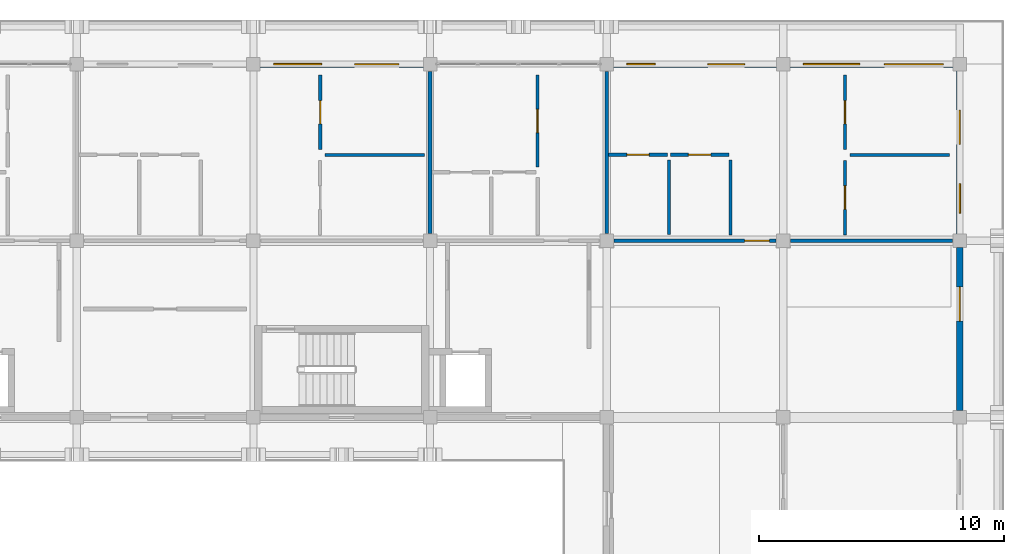
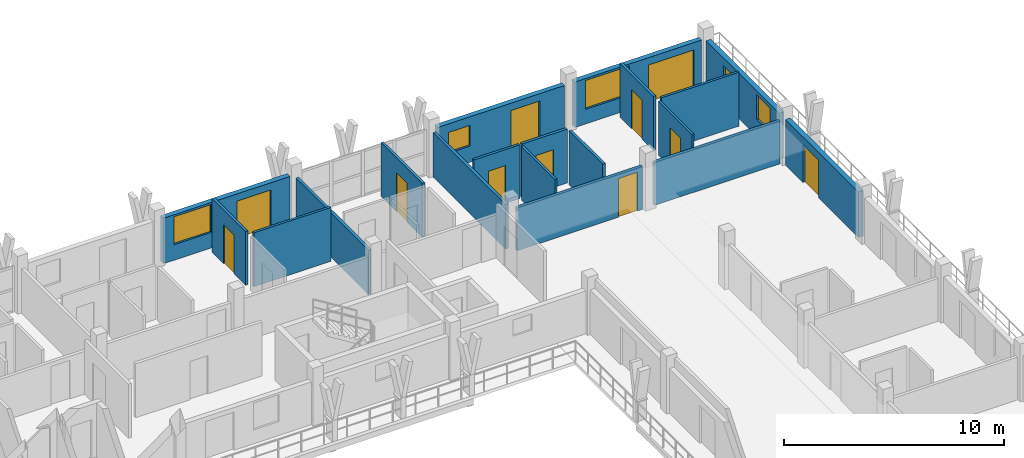
# One storey, part 52 of 67: 19 walls, 12 doors, 4 windows, 16 openings.
"""IFC4 building model written with IfcOpenShell, lengths in metres."""

import ifcopenshell
import ifcopenshell.guid

model = None  # the IFC model being written
_history = None  # IfcOwnerHistory: only IFC2X3 demands one
_inside = {}  # id of a spatial element -> (the spatial element, [elements in it])
_under = {}  # id of a project, library or spatial element -> (it, [spatial elements below it])
_declared = {}  # id of a project -> (the project, [libraries it declares])
_typed = {}  # id of a type object -> (the type object, [elements of that type])
_made_of = {}  # id of a material, layer set ... -> (it, [elements and type objects made of it])


def new_model(schema):
    """Start an empty IFC model of exactly this schema.

    Asked for "IFC4X3", IfcOpenShell would pick the latest addendum, in which some entities
    have other attributes; the version numbers below select the first issue.
    IFC2X3 requires an IfcOwnerHistory on every rooted entity: one is made here for all.
    """
    global model, _history
    if schema == "IFC4X3":
        model = ifcopenshell.file(schema_version=(4, 3, 0, 0))
    else:
        model = ifcopenshell.file(schema=schema)
    _inside.clear()
    _under.clear()
    _declared.clear()
    _typed.clear()
    _made_of.clear()
    _history = None
    if model.schema == "IFC2X3":
        org = make("IfcOrganization", Name="unknown")
        user = make(
            "IfcPersonAndOrganization",
            ThePerson=make("IfcPerson", FamilyName="unknown"),
            TheOrganization=org,
        )
        app = make(
            "IfcApplication",
            ApplicationDeveloper=org,
            Version="unknown",
            ApplicationFullName="unknown",
            ApplicationIdentifier="unknown",
        )
        _history = make(
            "IfcOwnerHistory",
            OwningUser=user,
            OwningApplication=app,
            ChangeAction="ADDED",
            CreationDate=0,
        )
    return model


def make(cls, **values):
    """One entity of the class cls with the attributes given. An attribute that is None is left unset."""
    return model.create_entity(
        cls, **{name: value for name, value in values.items() if value is not None}
    )


def rooted(cls, **values):
    """An entity with a GlobalId (a new one), such as an element, a storey or a relation."""
    return make(cls, GlobalId=ifcopenshell.guid.new(), OwnerHistory=_history, **values)


def si_unit(unit_type, name, prefix=None):
    """IfcSIUnit, for example si_unit("LENGTHUNIT", "METRE", prefix="MILLI")."""
    return make("IfcSIUnit", UnitType=unit_type, Prefix=prefix, Name=name)


def assignment(units):
    """IfcUnitAssignment: the units of a project."""
    return None if units is None else make("IfcUnitAssignment", Units=units)


def point(xyz):
    """IfcCartesianPoint."""
    return None if xyz is None else make("IfcCartesianPoint", Coordinates=xyz)


def direction(xyz):
    """IfcDirection."""
    return None if xyz is None else make("IfcDirection", DirectionRatios=xyz)


def frame(location, z_axis=None, x_axis=None):
    """IfcAxis2Placement3D, a coordinate frame: its origin and axes. An axis left out is left unset."""
    return make(
        "IfcAxis2Placement3D",
        Location=point(location),
        Axis=direction(z_axis),
        RefDirection=direction(x_axis),
    )


def frame_2d(location, x_axis=None):
    """IfcAxis2Placement2D, a coordinate frame in the plane: its origin and x axis."""
    return make(
        "IfcAxis2Placement2D", Location=point(location), RefDirection=direction(x_axis)
    )


def origin():
    """The frame at (0, 0, 0) with its axes left unset."""
    return frame((0.0, 0.0, 0.0))


def place(relative_to, where):
    """IfcLocalPlacement: puts the frame where relative to a parent placement (None: the world)."""
    return make(
        "IfcLocalPlacement", PlacementRelTo=relative_to, RelativePlacement=where
    )


def context(
    kind, dimensions, precision=None, world=None, true_north=None, identifier=None
):
    """IfcGeometricRepresentationContext, for example the 3D "Model" context."""
    return make(
        "IfcGeometricRepresentationContext",
        ContextIdentifier=identifier,
        ContextType=kind,
        CoordinateSpaceDimension=dimensions,
        Precision=precision,
        WorldCoordinateSystem=world,
        TrueNorth=true_north,
    )


def subcontext(parent, identifier, kind, view, scale=None):
    """IfcGeometricRepresentationSubContext, for example "Body" below "Model"."""
    return make(
        "IfcGeometricRepresentationSubContext",
        ContextIdentifier=identifier,
        ContextType=kind,
        ParentContext=parent,
        TargetScale=scale,
        TargetView=view,
    )


def project(units=None, contexts=None):
    """IfcProject with its units and contexts."""
    return rooted(
        "IfcProject",
        Name="project",
        RepresentationContexts=contexts,
        UnitsInContext=assignment(units),
    )


def spatial(cls, under=None, at=None, **own):
    """A site, building, storey or space (cls), placed at a placement, below another one or the project."""
    s = rooted(cls, ObjectPlacement=at, **own)
    if under is not None:
        _under.setdefault(under.id(), (under, []))[1].append(s)
    return s


def profile(cls, at=None, kind="AREA", **sizes):
    """A parametric profile (cls). Its sizes go by their IFC names, for example OverallWidth=200.0."""
    return make(cls, ProfileType=kind, Position=at, **sizes)


def rectangle(**sizes):
    """IfcRectangleProfileDef."""
    return profile("IfcRectangleProfileDef", **sizes)


def extrude(swept, where, along, depth):
    """IfcExtrudedAreaSolid: the profile swept, set in the frame where, extruded along a direction by depth."""
    return make(
        "IfcExtrudedAreaSolid",
        SweptArea=swept,
        Position=where,
        ExtrudedDirection=direction(along),
        Depth=depth,
    )


def shape(context_of_items, identifier, shape_type, items):
    """IfcShapeRepresentation: the items that make up one representation, for example the "Body"."""
    return make(
        "IfcShapeRepresentation",
        ContextOfItems=context_of_items,
        RepresentationIdentifier=identifier,
        RepresentationType=shape_type,
        Items=items,
    )


def material(Name=None, Category=None):
    """IfcMaterial."""
    return make("IfcMaterial", Name=Name, Category=Category)


def layer(
    of_material, thickness, ventilated=None, Name=None, Category=None, Priority=None
):
    """IfcMaterialLayer: one layer of a wall or slab, of a material (None: an air gap)."""
    return make(
        "IfcMaterialLayer",
        Material=of_material,
        LayerThickness=thickness,
        IsVentilated=ventilated,
        Name=Name,
        Category=Category,
        Priority=Priority,
    )


def layer_set(layers, Name=None):
    """IfcMaterialLayerSet."""
    return make("IfcMaterialLayerSet", MaterialLayers=layers, LayerSetName=Name)


def made_of(thing, what):
    """Note that an element or type object is made of a material, layer set ...; save() writes the relation."""
    if what is not None:
        _made_of.setdefault(what.id(), (what, []))[1].append(thing)
    return thing


def type_object(cls, material=None, **own):
    """A type object (cls), such as IfcWallType, which elements share."""
    return made_of(rooted(cls, **own), material)


def element(
    cls,
    number,
    at=None,
    inside=None,
    cuts=None,
    type_object=None,
    material=None,
    context=None,
    identifier="Body",
    shape_type=None,
    held_by="IfcProductDefinitionShape",
    body=None,
    shapes=None,
    **own,
):
    """One element of the class cls, such as IfcWall. Its Tag is "e" and its number.

    at: its placement. inside: the storey or other place that contains it. cuts: it is an
    opening in that element (IfcRelVoidsElement). A single representation is given by context,
    identifier, shape_type and body (its items); several are given by shapes. held_by: the class
    of the entity that holds the representations. save() writes the other relations.
    """
    e = rooted(cls, Tag="e%d" % number, ObjectPlacement=at, **own)
    if body is not None:
        shapes = [shape(context, identifier, shape_type, body)]
    if shapes is not None:
        e.Representation = make(held_by, Representations=shapes)
    if inside is not None:
        _inside.setdefault(inside.id(), (inside, []))[1].append(e)
    if cuts is not None:
        rooted(
            "IfcRelVoidsElement", RelatingBuildingElement=cuts, RelatedOpeningElement=e
        )
    if type_object is not None:
        _typed.setdefault(type_object.id(), (type_object, []))[1].append(e)
    return made_of(e, material)


def fill(opening, filler):
    """IfcRelFillsElement: the door or window that sits in an opening."""
    return rooted(
        "IfcRelFillsElement",
        RelatingOpeningElement=opening,
        RelatedBuildingElement=filler,
    )


def aggregate(whole, parts):
    """IfcRelAggregates: a whole, such as a stair, and the parts it consists of."""
    return rooted("IfcRelAggregates", RelatingObject=whole, RelatedObjects=parts)


def save(model, path):
    """Write the relations noted so far, then the file.

    IfcRelAggregates (storeys below a building ...), IfcRelContainedInSpatialStructure (elements
    in a storey), IfcRelDefinesByType, IfcRelAssociatesMaterial and IfcRelDeclares: one each for
    every whole, place, type object, material and project.
    """
    for whole, parts in _under.values():
        aggregate(whole, parts)
    for where, things in _inside.values():
        rooted(
            "IfcRelContainedInSpatialStructure",
            RelatedElements=things,
            RelatingStructure=where,
        )
    for kind, things in _typed.values():
        rooted("IfcRelDefinesByType", RelatedObjects=things, RelatingType=kind)
    for what, things in _made_of.values():
        rooted("IfcRelAssociatesMaterial", RelatedObjects=things, RelatingMaterial=what)
    for by, libraries in _declared.values():
        rooted("IfcRelDeclares", RelatingContext=by, RelatedDefinitions=libraries)
    model.write(path)


model = new_model("IFC4")

# Units and contexts
model_context = context("Model", 3, precision=1e-05, world=origin(), true_north=direction((0.0, 1.0)))
body_context = subcontext(model_context, "Body", "Model", "MODEL_VIEW")
ifc_project = project(units=[si_unit("LENGTHUNIT", "METRE"), si_unit("AREAUNIT", "SQUARE_METRE"), si_unit("VOLUMEUNIT", "CUBIC_METRE"), si_unit("PLANEANGLEUNIT", "RADIAN"), si_unit("MASSUNIT", "GRAM", prefix="KILO")], contexts=[model_context])

# Site, building, storey
site_placement = place(None, origin())
site = spatial("IfcSite", under=ifc_project, at=site_placement, CompositionType="ELEMENT")
building_placement = place(site_placement, origin())
building = spatial("IfcBuilding", under=site, at=building_placement, Name="Suanplinth Sawtooth Commons", CompositionType="ELEMENT")
storey_placement = place(building_placement, frame((0.0, 0.0, 25.10009765625)))
storey = spatial("IfcBuildingStorey", under=building, at=storey_placement, Name="L07", CompositionType="ELEMENT", Elevation=25.10009765625)

# Wall, openings, door, window
ifc_material_1 = material(Name="Precast concrete C40/50", Category="concrete")
ifc_layer_1 = layer(ifc_material_1, 0.260009765625, Name="Insulated precast courtyard facade wall 260mm")
ifc_layer_set_1 = layer_set([ifc_layer_1], Name="Precast concrete C40/50")
wall_type_1 = type_object("IfcWallType", Name="W-EX02", PredefinedType="ELEMENTEDWALL", material=ifc_layer_set_1)
wall_1_placement = place(storey_placement, frame((158.675048828125, 122.39990234375, 0.0), z_axis=(0.0, 0.0, 1.0), x_axis=(1.0, 0.0, 0.0)))
wall_1 = element("IfcWall", 1, at=wall_1_placement, inside=storey, type_object=wall_type_1, Name="Facade Wall W-L07-B-N-22-16", PredefinedType="ELEMENTEDWALL", context=body_context, shape_type="SweptSolid", body=[
    extrude(rectangle(XDim=6.64990234375, YDim=0.260009765625, at=frame_2d((3.324951171875, 0.0))), origin(), (0.0, 0.0, 1.0), 2.52490234375),
])
opening_1_placement = place(wall_1_placement, frame((3.85009765625, 0.0, 0.0)))
opening_1 = element("IfcOpeningElement", 2, at=opening_1_placement, cuts=wall_1, Name="Opening ED0579", PredefinedType="OPENING", context=body_context, shape_type="SweptSolid", body=[
    extrude(rectangle(XDim=1.800048828125, YDim=2.1201171875, at=frame_2d((0.89990234375, 1.06005859375))), frame((0.0, 0.14501953125, 0.0), z_axis=(0.0, -1.0, 0.0), x_axis=(1.0, 0.0, 0.0)), (0.0, 0.0, 1.0), 0.289794921875),
])
opening_2_placement = place(wall_1_placement, frame((0.550048828125, 0.0, 0.864990234375)))
opening_2 = element("IfcOpeningElement", 3, at=opening_2_placement, cuts=wall_1, Name="Opening W0662", PredefinedType="OPENING", context=body_context, shape_type="SweptSolid", body=[
    extrude(rectangle(XDim=1.949951171875, YDim=1.550048828125, at=frame_2d((0.97509765625, 0.77490234375))), frame((0.0, 0.14501953125, 0.0), z_axis=(0.0, -1.0, 0.0), x_axis=(1.0, 0.0, 0.0)), (0.0, 0.0, 1.0), 0.289794921875),
])
ifc_material_2 = material(Name="Anodized aluminium and low-E glass", Category="aluminium")
door_type_1 = type_object("IfcDoorType", Name="SD-01", OperationType="SLIDING_TO_LEFT", PredefinedType="DOOR", material=ifc_material_2)
door_1_placement = place(opening_1_placement, frame((1.800048828125, 0.0, 0.0), z_axis=(0.0, 0.0, 1.0), x_axis=(-1.0, 0.0, 0.0)))
door_1 = element("IfcDoor", 4, at=door_1_placement, inside=storey, type_object=door_type_1, Name="Balcony Sliding Door L07-B-22", OperationType="SLIDING_TO_LEFT", OverallHeight=2.1201171875, OverallWidth=1.800048828125, PredefinedType="DOOR", context=body_context, shape_type="SweptSolid", body=[
    extrude(rectangle(XDim=1.800048828125, YDim=2.1201171875, at=frame_2d((0.89990234375, 1.06005859375))), frame((0.0, 0.02490234375, 0.0), z_axis=(0.0, -1.0, 0.0), x_axis=(1.0, 0.0, 0.0)), (0.0, 0.0, 1.0), 0.050048828125),
])
fill(opening_1, door_1)
ifc_material_3 = material(Name="Thermally broken aluminium and low-E double glazing", Category="aluminium")
window_type_1 = type_object("IfcWindowType", Name="WN-18", PartitioningType="DOUBLE_PANEL_VERTICAL", PredefinedType="WINDOW", material=ifc_material_3)
window_1_placement = place(opening_2_placement, origin())
window_1 = element("IfcWindow", 5, at=window_1_placement, inside=storey, type_object=window_type_1, Name="Apartment Window L07-B-22", OverallHeight=1.550048828125, OverallWidth=1.949951171875, PartitioningType="DOUBLE_PANEL_VERTICAL", PredefinedType="WINDOW", context=body_context, shape_type="SweptSolid", body=[
    extrude(rectangle(XDim=1.949951171875, YDim=1.550048828125, at=frame_2d((0.97509765625, 0.77490234375))), frame((0.0, 0.030029296875, 0.0), z_axis=(0.0, -1.0, 0.0), x_axis=(1.0, 0.0, 0.0)), (0.0, 0.0, 1.0), 0.06005859375),
])
fill(opening_2, window_1)

wall_2_placement = place(storey_placement, frame((173.074951171875, 122.39990234375, 0.0), z_axis=(0.0, 0.0, 1.0), x_axis=(1.0, 0.0, 0.0)))
wall_2 = element("IfcWall", 6, at=wall_2_placement, inside=storey, type_object=wall_type_1, Name="Facade Wall W-L07-B-N-24-16", PredefinedType="ELEMENTEDWALL", context=body_context, shape_type="SweptSolid", body=[
    extrude(rectangle(XDim=6.650146484375, YDim=0.260009765625, at=frame_2d((3.3251953125, 0.0))), origin(), (0.0, 0.0, 1.0), 2.52490234375),
])
opening_3_placement = place(wall_2_placement, frame((3.85009765625, 0.0, 0.0)))
opening_3 = element("IfcOpeningElement", 7, at=opening_3_placement, cuts=wall_2, Name="Opening ED0583", PredefinedType="OPENING", context=body_context, shape_type="SweptSolid", body=[
    extrude(rectangle(XDim=1.5, YDim=2.1201171875, at=frame_2d((0.75, 1.06005859375))), frame((0.0, 0.14501953125, 0.0), z_axis=(0.0, -1.0, 0.0), x_axis=(1.0, 0.0, 0.0)), (0.0, 0.0, 1.0), 0.289794921875),
])
opening_4_placement = place(wall_2_placement, frame((0.550048828125, 0.0, 0.89990234375)))
opening_4 = element("IfcOpeningElement", 8, at=opening_4_placement, cuts=wall_2, Name="Opening W0665", PredefinedType="OPENING", context=body_context, shape_type="SweptSolid", body=[
    extrude(rectangle(XDim=1.14990234375, YDim=1.14990234375, at=frame_2d((0.574951171875, 0.574951171875))), frame((0.0, 0.14501953125, 0.0), z_axis=(0.0, -1.0, 0.0), x_axis=(1.0, 0.0, 0.0)), (0.0, 0.0, 1.0), 0.289794921875),
])
door_type_2 = type_object("IfcDoorType", Name="SD-03", OperationType="SLIDING_TO_LEFT", PredefinedType="DOOR", material=ifc_material_2)
door_2_placement = place(opening_3_placement, frame((1.5, 0.0, 0.0), z_axis=(0.0, 0.0, 1.0), x_axis=(-1.0, 0.0, 0.0)))
door_2 = element("IfcDoor", 9, at=door_2_placement, inside=storey, type_object=door_type_2, Name="Balcony Sliding Door L07-B-24", OperationType="SLIDING_TO_LEFT", OverallHeight=2.1201171875, OverallWidth=1.5, PredefinedType="DOOR", context=body_context, shape_type="SweptSolid", body=[
    extrude(rectangle(XDim=1.5, YDim=2.1201171875, at=frame_2d((0.75, 1.06005859375))), frame((0.0, 0.02490234375, 0.0), z_axis=(0.0, -1.0, 0.0), x_axis=(1.0, 0.0, 0.0)), (0.0, 0.0, 1.0), 0.050048828125),
])
fill(opening_3, door_2)
window_type_2 = type_object("IfcWindowType", Name="WN-20", PartitioningType="SINGLE_PANEL", PredefinedType="WINDOW", material=ifc_material_3)
window_2_placement = place(opening_4_placement, origin())
window_2 = element("IfcWindow", 10, at=window_2_placement, inside=storey, type_object=window_type_2, Name="Apartment Window L07-B-24", OverallHeight=1.14990234375, OverallWidth=1.14990234375, PartitioningType="SINGLE_PANEL", PredefinedType="WINDOW", context=body_context, shape_type="SweptSolid", body=[
    extrude(rectangle(XDim=1.14990234375, YDim=1.14990234375, at=frame_2d((0.574951171875, 0.574951171875))), frame((0.0, 0.030029296875, 0.0), z_axis=(0.0, -1.0, 0.0), x_axis=(1.0, 0.0, 0.0)), (0.0, 0.0, 1.0), 0.06005859375),
])
fill(opening_4, window_2)

# Wall, opening, door
wall_3_placement = place(storey_placement, frame((187.199951171875, 108.27490234375, 0.0), z_axis=(0.0, 0.0, 1.0), x_axis=(0.0, 1.0, 0.0)))
wall_3 = element("IfcWall", 11, at=wall_3_placement, inside=storey, type_object=wall_type_1, Name="Facade Wall W-L07-B-E-25-15", PredefinedType="ELEMENTEDWALL", context=body_context, shape_type="SweptSolid", body=[
    extrude(rectangle(XDim=6.650146484375, YDim=0.260009765625, at=frame_2d((3.3251953125, 0.0))), origin(), (0.0, 0.0, 1.0), 2.52490234375),
])
opening_5_placement = place(wall_3_placement, frame((3.64990234375, 0.0, 0.0)))
opening_5 = element("IfcOpeningElement", 12, at=opening_5_placement, cuts=wall_3, Name="Opening ED0588", PredefinedType="OPENING", context=body_context, shape_type="SweptSolid", body=[
    extrude(rectangle(XDim=1.39990234375, YDim=2.10009765625, at=frame_2d((0.699951171875, 1.050048828125))), frame((0.0, 0.14501953125, 0.0), z_axis=(0.0, -1.0, 0.0), x_axis=(1.0, 0.0, 0.0)), (0.0, 0.0, 1.0), 0.289794921875),
])
door_type_3 = type_object("IfcDoorType", Name="SD-07", OperationType="SLIDING_TO_RIGHT", PredefinedType="DOOR", material=ifc_material_2)
door_3_placement = place(opening_5_placement, frame((1.39990234375, 0.0, 0.0), z_axis=(0.0, 0.0, 1.0), x_axis=(-1.0, 0.0, 0.0)))
door_3 = element("IfcDoor", 13, at=door_3_placement, inside=storey, type_object=door_type_3, Name="End Balcony Sliding Door L07-B-E-25-15", OperationType="SLIDING_TO_RIGHT", OverallHeight=2.10009765625, OverallWidth=1.39990234375, PredefinedType="DOOR", context=body_context, shape_type="SweptSolid", body=[
    extrude(rectangle(XDim=1.39990234375, YDim=2.10009765625, at=frame_2d((0.699951171875, 1.050048828125))), frame((0.0, 0.02490234375, 0.0), z_axis=(0.0, -1.0, 0.0), x_axis=(1.0, 0.0, 0.0)), (0.0, 0.0, 1.0), 0.050048828125),
])
fill(opening_5, door_3)

# Wall, openings, door, window
wall_4_placement = place(storey_placement, frame((180.27490234375, 122.39990234375, 0.0), z_axis=(0.0, 0.0, 1.0), x_axis=(1.0, 0.0, 0.0)))
wall_4 = element("IfcWall", 14, at=wall_4_placement, inside=storey, type_object=wall_type_1, Name="Facade Wall W-L07-B-N-25-16", PredefinedType="ELEMENTEDWALL", context=body_context, shape_type="SweptSolid", body=[
    extrude(rectangle(XDim=6.650146484375, YDim=0.260009765625, at=frame_2d((3.3251953125, 0.0))), origin(), (0.0, 0.0, 1.0), 2.52490234375),
])
opening_6_placement = place(wall_4_placement, frame((3.85009765625, 0.0, 0.0)))
opening_6 = element("IfcOpeningElement", 15, at=opening_6_placement, cuts=wall_4, Name="Opening ED0589", PredefinedType="OPENING", context=body_context, shape_type="SweptSolid", body=[
    extrude(rectangle(XDim=2.39990234375, YDim=2.1201171875, at=frame_2d((1.199951171875, 1.06005859375))), frame((0.0, 0.14501953125, 0.0), z_axis=(0.0, -1.0, 0.0), x_axis=(1.0, 0.0, 0.0)), (0.0, 0.0, 1.0), 0.289794921875),
])
opening_7_placement = place(wall_4_placement, frame((0.550048828125, 0.0, 0.81494140625)))
opening_7 = element("IfcOpeningElement", 16, at=opening_7_placement, cuts=wall_4, Name="Opening W0669", PredefinedType="OPENING", context=body_context, shape_type="SweptSolid", body=[
    extrude(rectangle(XDim=2.300048828125, YDim=1.60009765625, at=frame_2d((1.14990234375, 0.800048828125))), frame((0.0, 0.14501953125, 0.0), z_axis=(0.0, -1.0, 0.0), x_axis=(1.0, 0.0, 0.0)), (0.0, 0.0, 1.0), 0.289794921875),
])
door_type_4 = type_object("IfcDoorType", Name="SD-04", OperationType="DOUBLE_DOOR_SLIDING", PredefinedType="DOOR", material=ifc_material_2)
door_4_placement = place(opening_6_placement, frame((2.39990234375, 0.0, 0.0), z_axis=(0.0, 0.0, 1.0), x_axis=(-1.0, 0.0, 0.0)))
door_4 = element("IfcDoor", 17, at=door_4_placement, inside=storey, type_object=door_type_4, Name="Balcony Sliding Door L07-B-25", OperationType="DOUBLE_DOOR_SLIDING", OverallHeight=2.1201171875, OverallWidth=2.39990234375, PredefinedType="DOOR", context=body_context, shape_type="SweptSolid", body=[
    extrude(rectangle(XDim=2.39990234375, YDim=2.1201171875, at=frame_2d((1.199951171875, 1.06005859375))), frame((0.0, 0.02490234375, 0.0), z_axis=(0.0, -1.0, 0.0), x_axis=(1.0, 0.0, 0.0)), (0.0, 0.0, 1.0), 0.050048828125),
])
fill(opening_6, door_4)
window_type_3 = type_object("IfcWindowType", Name="WN-21", PartitioningType="TRIPLE_PANEL_VERTICAL", PredefinedType="WINDOW", material=ifc_material_3)
window_3_placement = place(opening_7_placement, origin())
window_3 = element("IfcWindow", 18, at=window_3_placement, inside=storey, type_object=window_type_3, Name="Apartment Window L07-B-25", OverallHeight=1.60009765625, OverallWidth=2.300048828125, PartitioningType="TRIPLE_PANEL_VERTICAL", PredefinedType="WINDOW", context=body_context, shape_type="SweptSolid", body=[
    extrude(rectangle(XDim=2.300048828125, YDim=1.60009765625, at=frame_2d((1.14990234375, 0.800048828125))), frame((0.0, 0.030029296875, 0.0), z_axis=(0.0, -1.0, 0.0), x_axis=(1.0, 0.0, 0.0)), (0.0, 0.0, 1.0), 0.06005859375),
])
fill(opening_7, window_3)

wall_5_placement = place(storey_placement, frame((187.199951171875, 115.47509765625, 0.0), z_axis=(0.0, 0.0, 1.0), x_axis=(0.0, 1.0, 0.0)))
wall_5 = element("IfcWall", 19, at=wall_5_placement, inside=storey, type_object=wall_type_1, Name="Facade Wall W-L07-B-E-25-16", PredefinedType="ELEMENTEDWALL", context=body_context, shape_type="SweptSolid", body=[
    extrude(rectangle(XDim=6.64990234375, YDim=0.260009765625, at=frame_2d((3.324951171875, 0.0))), origin(), (0.0, 0.0, 1.0), 2.52490234375),
])
opening_8_placement = place(wall_5_placement, frame((3.64990234375, 0.0, 0.0)))
opening_8 = element("IfcOpeningElement", 20, at=opening_8_placement, cuts=wall_5, Name="Opening ED0590", PredefinedType="OPENING", context=body_context, shape_type="SweptSolid", body=[
    extrude(rectangle(XDim=1.39990234375, YDim=2.10009765625, at=frame_2d((0.699951171875, 1.050048828125))), frame((0.0, 0.14501953125, 0.0), z_axis=(0.0, -1.0, 0.0), x_axis=(1.0, 0.0, 0.0)), (0.0, 0.0, 1.0), 0.289794921875),
])
opening_9_placement = place(wall_5_placement, frame((0.85009765625, 0.0, 0.949951171875)))
opening_9 = element("IfcOpeningElement", 21, at=opening_9_placement, cuts=wall_5, Name="Opening W0670", PredefinedType="OPENING", context=body_context, shape_type="SweptSolid", body=[
    extrude(rectangle(XDim=1.199951171875, YDim=1.35009765625, at=frame_2d((0.60009765625, 0.675048828125))), frame((0.0, 0.14501953125, 0.0), z_axis=(0.0, -1.0, 0.0), x_axis=(1.0, 0.0, 0.0)), (0.0, 0.0, 1.0), 0.289794921875),
])
door_5_placement = place(opening_8_placement, frame((1.39990234375, 0.0, 0.0), z_axis=(0.0, 0.0, 1.0), x_axis=(-1.0, 0.0, 0.0)))
door_5 = element("IfcDoor", 22, at=door_5_placement, inside=storey, type_object=door_type_3, Name="End Balcony Sliding Door L07-B-E-25-16", OperationType="SLIDING_TO_RIGHT", OverallHeight=2.10009765625, OverallWidth=1.39990234375, PredefinedType="DOOR", context=body_context, shape_type="SweptSolid", body=[
    extrude(rectangle(XDim=1.39990234375, YDim=2.10009765625, at=frame_2d((0.699951171875, 1.050048828125))), frame((0.0, 0.02490234375, 0.0), z_axis=(0.0, -1.0, 0.0), x_axis=(1.0, 0.0, 0.0)), (0.0, 0.0, 1.0), 0.050048828125),
])
fill(opening_8, door_5)
window_type_4 = type_object("IfcWindowType", Name="WN-03", PartitioningType="SINGLE_PANEL", PredefinedType="WINDOW", material=ifc_material_3)
window_4_placement = place(opening_9_placement, origin())
window_4 = element("IfcWindow", 23, at=window_4_placement, inside=storey, type_object=window_type_4, Name="End Bedroom Window L07-B-25-16", OverallHeight=1.35009765625, OverallWidth=1.199951171875, PartitioningType="SINGLE_PANEL", PredefinedType="WINDOW", context=body_context, shape_type="SweptSolid", body=[
    extrude(rectangle(XDim=1.199951171875, YDim=1.35009765625, at=frame_2d((0.60009765625, 0.675048828125))), frame((0.0, 0.030029296875, 0.0), z_axis=(0.0, -1.0, 0.0), x_axis=(1.0, 0.0, 0.0)), (0.0, 0.0, 1.0), 0.06005859375),
])
fill(opening_9, window_4)

# Wall, opening, door
ifc_layer_2 = layer(ifc_material_1, 0.159912109375, Name="Fire-rated corridor and lobby wall 160mm")
ifc_layer_set_2 = layer_set([ifc_layer_2], Name="Precast concrete C40/50")
wall_type_2 = type_object("IfcWallType", Name="W-FW01", PredefinedType="PARTITIONING", material=ifc_layer_set_2)
wall_6_placement = place(storey_placement, frame((173.10498046875, 115.199951171875, 0.0), z_axis=(0.0, 0.0, 1.0), x_axis=(1.0, 0.0, 0.0)))
wall_6 = element("IfcWall", 24, at=wall_6_placement, inside=storey, type_object=wall_type_2, Name="W-B-L07-U05-COR-S1", PredefinedType="PARTITIONING", context=body_context, shape_type="SweptSolid", body=[
    extrude(rectangle(XDim=6.590087890625, YDim=0.159912109375, at=frame_2d((3.294921875, 0.0))), origin(), (0.0, 0.0, 1.0), 2.375),
])
opening_10_placement = place(wall_6_placement, frame((5.324951171875, 0.0, 0.0)))
opening_10 = element("IfcOpeningElement", 25, at=opening_10_placement, cuts=wall_6, Name="Opening FD1557", PredefinedType="OPENING", context=body_context, shape_type="SweptSolid", body=[
    extrude(rectangle(XDim=1.0, YDim=2.14990234375, at=frame_2d((0.5, 1.074951171875))), frame((0.0, 0.0947265625, 0.0), z_axis=(0.0, -1.0, 0.0), x_axis=(1.0, 0.0, 0.0)), (0.0, 0.0, 1.0), 0.189697265625),
])
ifc_material_4 = material(Name="Teak hardwood fire-rated door assembly", Category="wood")
door_type_5 = type_object("IfcDoorType", Name="FD-03", OperationType="NOTDEFINED", PredefinedType="DOOR", material=ifc_material_4)
door_6_placement = place(opening_10_placement, origin())
door_6 = element("IfcDoor", 26, at=door_6_placement, inside=storey, type_object=door_type_5, Name="Unit Entrance Door FD1557", OperationType="SINGLE_SWING_LEFT", OverallHeight=2.14990234375, OverallWidth=1.0, PredefinedType="DOOR", context=body_context, shape_type="SweptSolid", body=[
    extrude(rectangle(XDim=1.0, YDim=2.14990234375, at=frame_2d((0.5, 1.074951171875))), frame((0.0, 0.02490234375, 0.0), z_axis=(0.0, -1.0, 0.0), x_axis=(1.0, 0.0, 0.0)), (0.0, 0.0, 1.0), 0.050048828125),
])
fill(opening_10, door_6)

# Walls
wall_7_placement = place(storey_placement, frame((180.304931640625, 115.199951171875, 0.0), z_axis=(0.0, 0.0, 1.0), x_axis=(1.0, 0.0, 0.0)))
element("IfcWall", 27, at=wall_7_placement, inside=storey, type_object=wall_type_2, Name="W-B-L07-U05-COR-S2", PredefinedType="PARTITIONING", context=body_context, shape_type="SweptSolid", body=[
    extrude(rectangle(XDim=6.590087890625, YDim=0.159912109375, at=frame_2d((3.294921875, 0.0))), origin(), (0.0, 0.0, 1.0), 2.375),
])
ifc_layer_3 = layer(ifc_material_1, 0.14990234375, Name="Acoustic precast party demising wall 150mm")
ifc_layer_set_3 = layer_set([ifc_layer_3], Name="Precast concrete C40/50")
wall_type_3 = type_object("IfcWallType", Name="W-FW02", PredefinedType="PARTITIONING", material=ifc_layer_set_3)
for number, where, z_axis, x_axis, name in (
    (28, (165.60009765625, 115.5048828125, 0.0), (0.0, 0.0, 1.0), (0.0, 1.0, 0.0), "W-B-L07-U03-PTY"),
    (29, (172.800048828125, 115.5048828125, 0.0), (0.0, 0.0, 1.0), (0.0, 1.0, 0.0), "W-B-L07-U04-PTY"),
):
    element("IfcWall", number, at=place(storey_placement, frame(where, z_axis=z_axis, x_axis=x_axis)), inside=storey, type_object=wall_type_3, Name=name, PredefinedType="PARTITIONING", context=body_context, shape_type="SweptSolid", body=[
        extrude(rectangle(XDim=6.590087890625, YDim=0.14990234375, at=frame_2d((3.294921875, 0.0))), origin(), (0.0, 0.0, 1.0), 2.474853515625),
    ])

# Wall, opening, door
ifc_material_5 = material(Name="Gypsum plasterboard on steel stud", Category="steel")
ifc_layer_4 = layer(ifc_material_5, 0.139892578125, Name="Fire-rated kitchen partition 140mm")
ifc_layer_set_4 = layer_set([ifc_layer_4], Name="Gypsum plasterboard on steel stud")
wall_type_4 = type_object("IfcWallType", Name="W-PT01", PredefinedType="PARTITIONING", material=ifc_layer_set_4)
wall_8_placement = place(storey_placement, frame((175.39990234375, 118.7099609375, 0.0), z_axis=(0.0, 0.0, 1.0), x_axis=(1.0, 0.0, 0.0)))
wall_8 = element("IfcWall", 30, at=wall_8_placement, inside=storey, type_object=wall_type_4, Name="W-B-L07-U05-KIT1", PredefinedType="PARTITIONING", context=body_context, shape_type="SweptSolid", body=[
    extrude(rectangle(XDim=2.380126953125, YDim=0.139892578125, at=frame_2d((1.18994140625, 0.0))), origin(), (0.0, 0.0, 1.0), 2.989990234375),
])
opening_11_placement = place(wall_8_placement, frame((0.72998046875, 0.0, 0.0)))
opening_11 = element("IfcOpeningElement", 31, at=opening_11_placement, cuts=wall_8, Name="Opening D1559", PredefinedType="OPENING", context=body_context, shape_type="SweptSolid", body=[
    extrude(rectangle(XDim=0.919921875, YDim=2.10009765625, at=frame_2d((0.4599609375, 1.050048828125))), frame((0.0, 0.0849609375, 0.0), z_axis=(0.0, -1.0, 0.0), x_axis=(1.0, 0.0, 0.0)), (0.0, 0.0, 1.0), 0.169677734375),
])
ifc_material_6 = material(Name="Teak hardwood", Category="wood")
door_type_6 = type_object("IfcDoorType", Name="D-02", OperationType="NOTDEFINED", PredefinedType="DOOR", material=ifc_material_6)
door_7_placement = place(opening_11_placement, frame((0.919921875, 0.0, 0.0), z_axis=(0.0, 0.0, 1.0), x_axis=(-1.0, 0.0, 0.0)))
door_7 = element("IfcDoor", 32, at=door_7_placement, inside=storey, type_object=door_type_6, Name="Kitchen Door D1559", OperationType="SINGLE_SWING_LEFT", OverallHeight=2.10009765625, OverallWidth=0.919921875, PredefinedType="DOOR", context=body_context, shape_type="SweptSolid", body=[
    extrude(rectangle(XDim=0.919921875, YDim=2.10009765625, at=frame_2d((0.4599609375, 1.050048828125))), frame((0.0, 0.02490234375, 0.0), z_axis=(0.0, -1.0, 0.0), x_axis=(1.0, 0.0, 0.0)), (0.0, 0.0, 1.0), 0.050048828125),
])
fill(opening_11, door_7)

# Wall
wall_9_placement = place(storey_placement, frame((177.85009765625, 115.429931640625, 0.0), z_axis=(0.0, 0.0, 1.0), x_axis=(0.0, 1.0, 0.0)))
element("IfcWall", 33, at=wall_9_placement, inside=storey, type_object=wall_type_4, Name="W-B-L07-U05-KIT2", PredefinedType="PARTITIONING", context=body_context, shape_type="SweptSolid", body=[
    extrude(rectangle(XDim=3.06005859375, YDim=0.139892578125, at=frame_2d((1.530029296875, 0.0))), origin(), (0.0, 0.0, 1.0), 2.989990234375),
])

# Wall, opening, door
ifc_layer_5 = layer(ifc_material_5, 0.1298828125, Name="Moisture-resistant bathroom partition 130mm")
ifc_layer_set_5 = layer_set([ifc_layer_5], Name="Gypsum plasterboard on steel stud")
wall_type_5 = type_object("IfcWallType", Name="W-PT02", PredefinedType="PARTITIONING", material=ifc_layer_set_5)
wall_10_placement = place(storey_placement, frame((172.8798828125, 118.705078125, 0.0), z_axis=(0.0, 0.0, 1.0), x_axis=(1.0, 0.0, 0.0)))
wall_10 = element("IfcWall", 34, at=wall_10_placement, inside=storey, type_object=wall_type_5, Name="W-B-L07-U05-BTH1", PredefinedType="PARTITIONING", context=body_context, shape_type="SweptSolid", body=[
    extrude(rectangle(XDim=2.400146484375, YDim=0.1298828125, at=frame_2d((1.2001953125, 0.0))), origin(), (0.0, 0.0, 1.0), 2.989990234375),
])
opening_12_placement = place(wall_10_placement, frame((0.75, 0.0, 0.0)))
opening_12 = element("IfcOpeningElement", 35, at=opening_12_placement, cuts=wall_10, Name="Opening D1558", PredefinedType="OPENING", context=body_context, shape_type="SweptSolid", body=[
    extrude(rectangle(XDim=0.89990234375, YDim=2.10009765625, at=frame_2d((0.449951171875, 1.050048828125))), frame((0.0, 0.079833984375, 0.0), z_axis=(0.0, -1.0, 0.0), x_axis=(1.0, 0.0, 0.0)), (0.0, 0.0, 1.0), 0.15966796875),
])
door_type_7 = type_object("IfcDoorType", Name="D-01", OperationType="NOTDEFINED", PredefinedType="DOOR", material=ifc_material_6)
door_8_placement = place(opening_12_placement, frame((0.89990234375, 0.0, 0.0), z_axis=(0.0, 0.0, 1.0), x_axis=(-1.0, 0.0, 0.0)))
door_8 = element("IfcDoor", 36, at=door_8_placement, inside=storey, type_object=door_type_7, Name="Bathroom Door D1558", OperationType="SINGLE_SWING_RIGHT", OverallHeight=2.10009765625, OverallWidth=0.89990234375, PredefinedType="DOOR", context=body_context, shape_type="SweptSolid", body=[
    extrude(rectangle(XDim=0.89990234375, YDim=2.10009765625, at=frame_2d((0.449951171875, 1.050048828125))), frame((0.0, 0.02490234375, 0.0), z_axis=(0.0, -1.0, 0.0), x_axis=(1.0, 0.0, 0.0)), (0.0, 0.0, 1.0), 0.050048828125),
])
fill(opening_12, door_8)

# Wall
wall_11_placement = place(storey_placement, frame((175.344970703125, 115.4599609375, 0.0), z_axis=(0.0, 0.0, 1.0), x_axis=(0.0, 1.0, 0.0)))
element("IfcWall", 37, at=wall_11_placement, inside=storey, type_object=wall_type_5, Name="W-B-L07-U05-BTH2", PredefinedType="PARTITIONING", context=body_context, shape_type="SweptSolid", body=[
    extrude(rectangle(XDim=3.0400390625, YDim=0.1298828125, at=frame_2d((1.52001953125, 0.0))), origin(), (0.0, 0.0, 1.0), 2.989990234375),
])

# Wall, opening, door
ifc_layer_6 = layer(ifc_material_5, 0.1201171875, Name="Acoustic bedroom partition 120mm")
ifc_layer_set_6 = layer_set([ifc_layer_6], Name="Gypsum plasterboard on steel stud")
wall_type_6 = type_object("IfcWallType", Name="W-PT03", PredefinedType="PARTITIONING", material=ifc_layer_set_6)
wall_12_placement = place(storey_placement, frame((182.52001953125, 115.43994140625, 0.0), z_axis=(0.0, 0.0, 1.0), x_axis=(0.0, 1.0, 0.0)))
wall_12 = element("IfcWall", 38, at=wall_12_placement, inside=storey, type_object=wall_type_6, Name="W-B-L07-U05-BED2", PredefinedType="PARTITIONING", context=body_context, shape_type="SweptSolid", body=[
    extrude(rectangle(XDim=3.0400390625, YDim=0.1201171875, at=frame_2d((1.52001953125, 0.0))), origin(), (0.0, 0.0, 1.0), 2.989990234375),
])
opening_13_placement = place(wall_12_placement, frame((1.0400390625, 0.0, 0.0)))
opening_13 = element("IfcOpeningElement", 39, at=opening_13_placement, cuts=wall_12, Name="Opening D1561", PredefinedType="OPENING", context=body_context, shape_type="SweptSolid", body=[
    extrude(rectangle(XDim=0.9599609375, YDim=2.14990234375, at=frame_2d((0.47998046875, 1.074951171875))), frame((0.0, 0.074951171875, 0.0), z_axis=(0.0, -1.0, 0.0), x_axis=(1.0, 0.0, 0.0)), (0.0, 0.0, 1.0), 0.14990234375),
])
door_type_8 = type_object("IfcDoorType", Name="D-13", OperationType="NOTDEFINED", PredefinedType="DOOR", material=ifc_material_6)
door_9_placement = place(opening_13_placement, frame((0.9599609375, 0.0, 0.0), z_axis=(0.0, 0.0, 1.0), x_axis=(-1.0, 0.0, 0.0)))
door_9 = element("IfcDoor", 40, at=door_9_placement, inside=storey, type_object=door_type_8, Name="Second Bedroom Door D1561", OperationType="SINGLE_SWING_LEFT", OverallHeight=2.14990234375, OverallWidth=0.9599609375, PredefinedType="DOOR", context=body_context, shape_type="SweptSolid", body=[
    extrude(rectangle(XDim=0.9599609375, YDim=2.14990234375, at=frame_2d((0.47998046875, 1.074951171875))), frame((0.0, 0.02490234375, 0.0), z_axis=(0.0, -1.0, 0.0), x_axis=(1.0, 0.0, 0.0)), (0.0, 0.0, 1.0), 0.050048828125),
])
fill(opening_13, door_9)

# Walls
ifc_layer_7 = layer(ifc_material_5, 0.125, Name="Acoustic study partition 125mm")
ifc_layer_set_7 = layer_set([ifc_layer_7], Name="Gypsum plasterboard on steel stud")
wall_type_7 = type_object("IfcWallType", Name="W-PT06", PredefinedType="PARTITIONING", material=ifc_layer_set_7)
wall_13_placement = place(storey_placement, frame((161.320068359375, 118.699951171875, 0.0), z_axis=(0.0, 0.0, 1.0), x_axis=(1.0, 0.0, 0.0)))
element("IfcWall", 41, at=wall_13_placement, inside=storey, type_object=wall_type_7, Name="W-B-L07-U03-BEDDIV", PredefinedType="PARTITIONING", context=body_context, shape_type="SweptSolid", body=[
    extrude(rectangle(XDim=4.059814453125, YDim=0.125, at=frame_2d((2.02978515625, 0.0))), origin(), (0.0, 0.0, 1.0), 2.989990234375),
])
wall_14_placement = place(storey_placement, frame((182.719970703125, 118.699951171875, 0.0), z_axis=(0.0, 0.0, 1.0), x_axis=(1.0, 0.0, 0.0)))
element("IfcWall", 42, at=wall_14_placement, inside=storey, type_object=wall_type_7, Name="W-B-L07-U05-BEDDIV", PredefinedType="PARTITIONING", context=body_context, shape_type="SweptSolid", body=[
    extrude(rectangle(XDim=4.06005859375, YDim=0.125, at=frame_2d((2.030029296875, 0.0))), origin(), (0.0, 0.0, 1.0), 2.989990234375),
])

# Wall, opening, door
ifc_layer_8 = layer(ifc_material_5, 0.135009765625, Name="Insulated bedroom demising partition 135mm")
ifc_layer_set_8 = layer_set([ifc_layer_8], Name="Gypsum plasterboard on steel stud")
wall_type_8 = type_object("IfcWallType", Name="W-PT07", PredefinedType="PARTITIONING", material=ifc_layer_set_8)
wall_15_placement = place(storey_placement, frame((161.1201171875, 118.919921875, 0.0), z_axis=(0.0, 0.0, 1.0), x_axis=(0.0, 1.0, 0.0)))
wall_15 = element("IfcWall", 43, at=wall_15_placement, inside=storey, type_object=wall_type_8, Name="W-B-L07-U03-BED1", PredefinedType="PARTITIONING", context=body_context, shape_type="SweptSolid", body=[
    extrude(rectangle(XDim=3.0400390625, YDim=0.135009765625, at=frame_2d((1.52001953125, 0.0))), origin(), (0.0, 0.0, 1.0), 2.989990234375),
])
opening_14_placement = place(wall_15_placement, frame((1.044921875, 0.0, 0.0)))
opening_14 = element("IfcOpeningElement", 44, at=opening_14_placement, cuts=wall_15, Name="Opening D1551", PredefinedType="OPENING", context=body_context, shape_type="SweptSolid", body=[
    extrude(rectangle(XDim=0.949951171875, YDim=2.14990234375, at=frame_2d((0.47509765625, 1.074951171875))), frame((0.0, 0.08251953125, 0.0), z_axis=(0.0, -1.0, 0.0), x_axis=(1.0, 0.0, 0.0)), (0.0, 0.0, 1.0), 0.164794921875),
])
door_type_9 = type_object("IfcDoorType", Name="D-03", OperationType="NOTDEFINED", PredefinedType="DOOR", material=ifc_material_6)
door_10_placement = place(opening_14_placement, frame((0.949951171875, 0.0, 0.0), z_axis=(0.0, 0.0, 1.0), x_axis=(-1.0, 0.0, 0.0)))
door_10 = element("IfcDoor", 45, at=door_10_placement, inside=storey, type_object=door_type_9, Name="Bedroom Door D1551", OperationType="SINGLE_SWING_LEFT", OverallHeight=2.14990234375, OverallWidth=0.949951171875, PredefinedType="DOOR", context=body_context, shape_type="SweptSolid", body=[
    extrude(rectangle(XDim=0.949951171875, YDim=2.14990234375, at=frame_2d((0.47509765625, 1.074951171875))), frame((0.0, 0.02490234375, 0.0), z_axis=(0.0, -1.0, 0.0), x_axis=(1.0, 0.0, 0.0)), (0.0, 0.0, 1.0), 0.050048828125),
])
fill(opening_14, door_10)

wall_16_placement = place(storey_placement, frame((169.97998046875, 118.2099609375, 0.0), z_axis=(0.0, 0.0, 1.0), x_axis=(0.0, 1.0, 0.0)))
wall_16 = element("IfcWall", 46, at=wall_16_placement, inside=storey, type_object=wall_type_8, Name="W-B-L07-U04-BED1", PredefinedType="PARTITIONING", context=body_context, shape_type="SweptSolid", body=[
    extrude(rectangle(XDim=3.75, YDim=0.135009765625, at=frame_2d((1.875, 0.0))), origin(), (0.0, 0.0, 1.0), 2.989990234375),
])
opening_15_placement = place(wall_16_placement, frame((1.39990234375, 0.0, 0.0)))
opening_15 = element("IfcOpeningElement", 47, at=opening_15_placement, cuts=wall_16, Name="Opening D1556", PredefinedType="OPENING", context=body_context, shape_type="SweptSolid", body=[
    extrude(rectangle(XDim=0.949951171875, YDim=2.14990234375, at=frame_2d((0.47509765625, 1.074951171875))), frame((0.0, 0.08251953125, 0.0), z_axis=(0.0, -1.0, 0.0), x_axis=(1.0, 0.0, 0.0)), (0.0, 0.0, 1.0), 0.164794921875),
])
door_11_placement = place(opening_15_placement, origin())
door_11 = element("IfcDoor", 48, at=door_11_placement, inside=storey, type_object=door_type_9, Name="Bedroom Door D1556", OperationType="SINGLE_SWING_RIGHT", OverallHeight=2.14990234375, OverallWidth=0.949951171875, PredefinedType="DOOR", context=body_context, shape_type="SweptSolid", body=[
    extrude(rectangle(XDim=0.949951171875, YDim=2.14990234375, at=frame_2d((0.47509765625, 1.074951171875))), frame((0.0, 0.02490234375, 0.0), z_axis=(0.0, -1.0, 0.0), x_axis=(1.0, 0.0, 0.0)), (0.0, 0.0, 1.0), 0.050048828125),
])
fill(opening_15, door_11)

wall_17_placement = place(storey_placement, frame((182.52001953125, 118.919921875, 0.0), z_axis=(0.0, 0.0, 1.0), x_axis=(0.0, 1.0, 0.0)))
wall_17 = element("IfcWall", 49, at=wall_17_placement, inside=storey, type_object=wall_type_8, Name="W-B-L07-U05-BED1", PredefinedType="PARTITIONING", context=body_context, shape_type="SweptSolid", body=[
    extrude(rectangle(XDim=3.0400390625, YDim=0.135009765625, at=frame_2d((1.52001953125, 0.0))), origin(), (0.0, 0.0, 1.0), 2.989990234375),
])
opening_16_placement = place(wall_17_placement, frame((1.044921875, 0.0, 0.0)))
opening_16 = element("IfcOpeningElement", 50, at=opening_16_placement, cuts=wall_17, Name="Opening D1560", PredefinedType="OPENING", context=body_context, shape_type="SweptSolid", body=[
    extrude(rectangle(XDim=0.949951171875, YDim=2.14990234375, at=frame_2d((0.47509765625, 1.074951171875))), frame((0.0, 0.08251953125, 0.0), z_axis=(0.0, -1.0, 0.0), x_axis=(1.0, 0.0, 0.0)), (0.0, 0.0, 1.0), 0.164794921875),
])
door_12_placement = place(opening_16_placement, frame((0.949951171875, 0.0, 0.0), z_axis=(0.0, 0.0, 1.0), x_axis=(-1.0, 0.0, 0.0)))
door_12 = element("IfcDoor", 51, at=door_12_placement, inside=storey, type_object=door_type_9, Name="Bedroom Door D1560", OperationType="SINGLE_SWING_RIGHT", OverallHeight=2.14990234375, OverallWidth=0.949951171875, PredefinedType="DOOR", context=body_context, shape_type="SweptSolid", body=[
    extrude(rectangle(XDim=0.949951171875, YDim=2.14990234375, at=frame_2d((0.47509765625, 1.074951171875))), frame((0.0, 0.02490234375, 0.0), z_axis=(0.0, -1.0, 0.0), x_axis=(1.0, 0.0, 0.0)), (0.0, 0.0, 1.0), 0.050048828125),
])
fill(opening_16, door_12)

save(model, "model.ifc")
